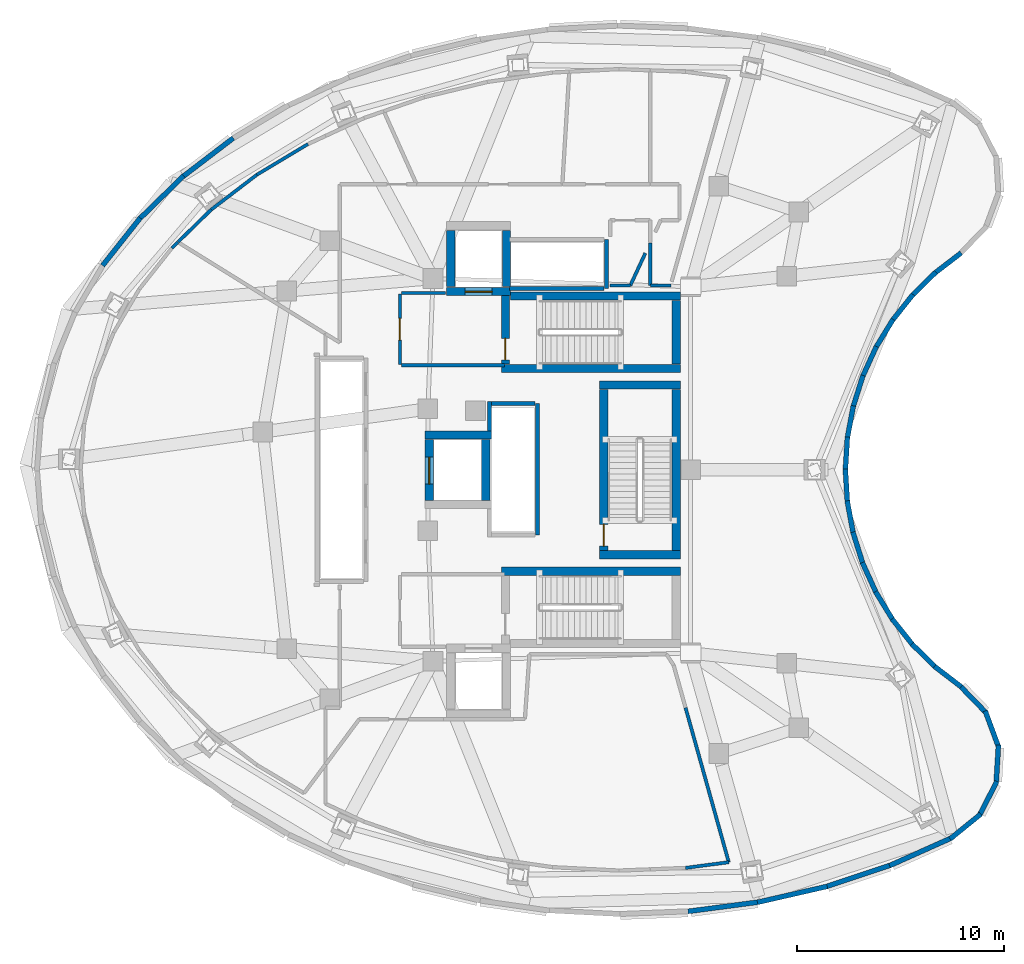
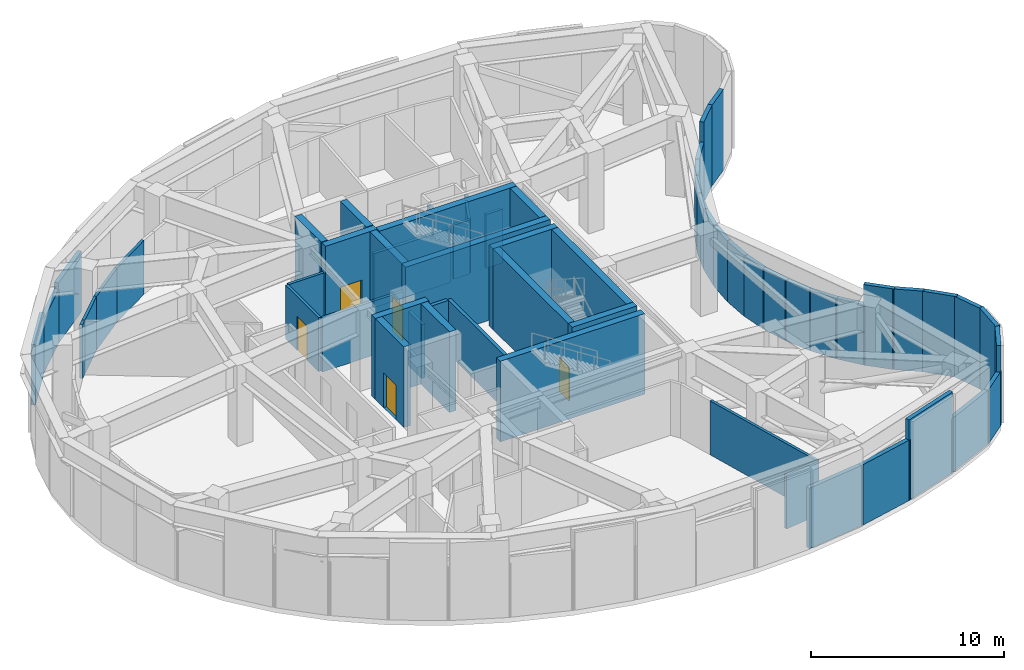
# One storey, part 5 of 10: 61 walls, 5 doors, 5 openings.
"""IFC4 building model written with IfcOpenShell, lengths in metres."""

from ifc_helpers import new_model, si_unit, direction, frame, frame_2d, origin, place, context, subcontext, project, spatial, rectangle, extrude, material, layer, layer_set, type_object, element, fill, save


model = new_model("IFC4")

# Units and contexts
model_context = context("Model", 3, precision=1e-05, world=origin(), true_north=direction((0.0, 1.0)))
body_context = subcontext(model_context, "Body", "Model", "MODEL_VIEW")
ifc_project = project(units=[si_unit("LENGTHUNIT", "METRE"), si_unit("AREAUNIT", "SQUARE_METRE"), si_unit("VOLUMEUNIT", "CUBIC_METRE"), si_unit("PLANEANGLEUNIT", "RADIAN"), si_unit("MASSUNIT", "GRAM", prefix="KILO")], contexts=[model_context])

# Site, building, storey
site_placement = place(None, origin())
site = spatial("IfcSite", under=ifc_project, at=site_placement, CompositionType="ELEMENT")
building_placement = place(site_placement, origin())
building = spatial("IfcBuilding", under=site, at=building_placement, Name="Korentha Bioscience Tower", CompositionType="ELEMENT")
storey_placement = place(building_placement, frame((0.0, 0.0, 213.0)))
storey = spatial("IfcBuildingStorey", under=building, at=storey_placement, Name="L49", CompositionType="ELEMENT", Elevation=213.0)

# Wall, opening, door
ifc_material_1 = material(Name="Gypsum-Clad Steel Stud", Category="steel")
ifc_layer_1 = layer(ifc_material_1, 0.159912109375, Name="Gypsum-Clad Steel Stud")
ifc_layer_set_1 = layer_set([ifc_layer_1], Name="Gypsum-Clad Steel Stud (IW-C160)")
wall_type_1 = type_object("IfcWallType", Name="Fire-Rated Corridor Partition Wall 160", PredefinedType="PARTITIONING", material=ifc_layer_set_1)
wall_1_placement = place(storey_placement, frame((23.5, 32.10009765625, 0.0), z_axis=(0.0, 0.0, 1.0), x_axis=(0.0, 1.0, 0.0)))
wall_1 = element("IfcWall", 1, at=wall_1_placement, inside=storey, type_object=wall_type_1, Name="L49 FFLN-CW Rated Enclosure Wall", PredefinedType="PARTITIONING", context=body_context, shape_type="SweptSolid", body=[
    extrude(rectangle(XDim=3.39990234375, YDim=0.159912109375, at=frame_2d((1.699951171875, 0.0))), origin(), (0.0, 0.0, 1.0), 3.409912109375),
])
opening_1_placement = place(wall_1_placement, frame((1.175048828125, 0.0, 0.0)))
opening_1 = element("IfcOpeningElement", 2, at=opening_1_placement, cuts=wall_1, Name="Opening FD-90R", PredefinedType="OPENING", context=body_context, shape_type="SweptSolid", body=[
    extrude(rectangle(XDim=1.050048828125, YDim=2.14990234375, at=frame_2d((0.52490234375, 1.074951171875))), frame((0.0, 0.0947265625, 0.0), z_axis=(0.0, -1.0, 0.0), x_axis=(1.0, 0.0, 0.0)), (0.0, 0.0, 1.0), 0.189697265625),
])
ifc_material_2 = material(Name="Powder-Coated Fire-Rated Steel", Category="steel")
door_type_1 = type_object("IfcDoorType", Name="Stairwell Fire Exit Door 1050x2150 Right", OperationType="SINGLE_SWING_RIGHT", PredefinedType="DOOR", material=ifc_material_2)
door_1_placement = place(opening_1_placement, origin())
door_1 = element("IfcDoor", 3, at=door_1_placement, inside=storey, type_object=door_type_1, Name="L49 North Firefighting Lobby Door", OperationType="SINGLE_SWING_RIGHT", OverallHeight=2.14990234375, OverallWidth=1.050048828125, PredefinedType="DOOR", context=body_context, shape_type="SweptSolid", body=[
    extrude(rectangle(XDim=1.050048828125, YDim=2.14990234375, at=frame_2d((0.52490234375, 1.074951171875))), frame((0.0, 0.02490234375, 0.0), z_axis=(0.0, -1.0, 0.0), x_axis=(1.0, 0.0, 0.0)), (0.0, 0.0, 1.0), 0.050048828125),
])
fill(opening_1, door_1)

# Walls
wall_2_placement = place(storey_placement, frame((23.580078125, 32.050048828125, 0.0), z_axis=(0.0, 0.0, 1.0), x_axis=(1.0, 0.0, 0.0)))
element("IfcWall", 4, at=wall_2_placement, inside=storey, type_object=wall_type_1, Name="L49 Firefighting Lobby Return Wall FFLN-S", PredefinedType="PARTITIONING", context=body_context, shape_type="SweptSolid", body=[
    extrude(rectangle(XDim=4.969970703125, YDim=0.159912109375, at=frame_2d((2.48486328125, 0.0))), origin(), (0.0, 0.0, 1.0), 3.409912109375),
])
wall_3_placement = place(storey_placement, frame((23.580078125, 35.550048828125, 0.0), z_axis=(0.0, 0.0, 1.0), x_axis=(1.0, 0.0, 0.0)))
element("IfcWall", 5, at=wall_3_placement, inside=storey, type_object=wall_type_1, Name="L49 Firefighting Lobby Return Wall FFLN-N", PredefinedType="PARTITIONING", context=body_context, shape_type="SweptSolid", body=[
    extrude(rectangle(XDim=2.119873046875, YDim=0.159912109375, at=frame_2d((1.06005859375, 0.0))), origin(), (0.0, 0.0, 1.0), 3.409912109375),
])
wall_4_placement = place(storey_placement, frame((12.474853515625, 37.723876953125, 0.0), z_axis=(0.0, 0.0, 1.0), x_axis=(0.716082918314, 0.698015224833, 0.0)))
element("IfcWall", 6, at=wall_4_placement, inside=storey, type_object=wall_type_1, Name="L49 Interior Partition 014", PredefinedType="PARTITIONING", context=body_context, shape_type="SweptSolid", body=[
    extrude(rectangle(XDim=0.4052734375, YDim=0.159912109375, at=frame_2d((0.20263671875, 0.0))), origin(), (0.0, 0.0, 1.0), 3.409912109375),
])
wall_5_placement = place(storey_placement, frame((37.3056640625, 15.497802734375, 0.0), z_axis=(0.0, 0.0, 1.0), x_axis=(0.269479200769, -0.963006209924, 0.0)))
element("IfcWall", 7, at=wall_5_placement, inside=storey, type_object=wall_type_1, Name="L49 Interior Partition 040", PredefinedType="PARTITIONING", context=body_context, shape_type="SweptSolid", body=[
    extrude(rectangle(XDim=7.75048828125, YDim=0.159912109375, at=frame_2d((3.875244140625, 0.0))), origin(), (0.0, 0.0, 1.0), 3.409912109375),
])
wall_6_placement = place(storey_placement, frame((39.394287109375, 8.03369140625, 0.0), z_axis=(0.0, 0.0, 1.0), x_axis=(-0.991371547584, -0.131081862361, 0.0)))
element("IfcWall", 8, at=wall_6_placement, inside=storey, type_object=wall_type_1, Name="L49 Interior Partition 041", PredefinedType="PARTITIONING", context=body_context, shape_type="SweptSolid", body=[
    extrude(rectangle(XDim=2.114013671875, YDim=0.159912109375, at=frame_2d((1.05712890625, 0.0))), origin(), (0.0, 0.0, 1.0), 3.409912109375),
])
wall_7_placement = place(storey_placement, frame((36.602294921875, 35.909912109375, 0.0), z_axis=(0.0, 0.0, 1.0), x_axis=(-1.0, 0.0, 0.0)))
element("IfcWall", 9, at=wall_7_placement, inside=storey, type_object=wall_type_1, Name="L49 Interior Partition 062", PredefinedType="PARTITIONING", context=body_context, shape_type="SweptSolid", body=[
    extrude(rectangle(XDim=1.000244140625, YDim=0.159912109375, at=frame_2d((0.5, 0.0))), origin(), (0.0, 0.0, 1.0), 3.409912109375),
])
wall_8_placement = place(storey_placement, frame((35.60205078125, 35.909912109375, 0.0), z_axis=(0.0, 0.0, 1.0), x_axis=(0.0, 1.0, 0.0)))
element("IfcWall", 10, at=wall_8_placement, inside=storey, type_object=wall_type_1, Name="L49 Interior Partition 063", PredefinedType="PARTITIONING", context=body_context, shape_type="SweptSolid", body=[
    extrude(rectangle(XDim=2.064208984375, YDim=0.159912109375, at=frame_2d((1.0322265625, 0.0))), origin(), (0.0, 0.0, 1.0), 3.409912109375),
])
wall_9_placement = place(storey_placement, frame((35.362060546875, 37.475341796875, 0.0), z_axis=(0.0, 0.0, 1.0), x_axis=(-0.421227666109, -0.90695493455, 0.0)))
element("IfcWall", 11, at=wall_9_placement, inside=storey, type_object=wall_type_1, Name="L49 Interior Partition 064", PredefinedType="PARTITIONING", context=body_context, shape_type="SweptSolid", body=[
    extrude(rectangle(XDim=1.72607421875, YDim=0.159912109375, at=frame_2d((0.863037109375, 0.0))), origin(), (0.0, 0.0, 1.0), 3.409912109375),
])
wall_10_placement = place(storey_placement, frame((34.635009765625, 35.909912109375, 0.0), z_axis=(0.0, 0.0, 1.0), x_axis=(-1.0, 0.0, 0.0)))
element("IfcWall", 12, at=wall_10_placement, inside=storey, type_object=wall_type_1, Name="L49 Interior Partition 065", PredefinedType="PARTITIONING", context=body_context, shape_type="SweptSolid", body=[
    extrude(rectangle(XDim=0.985107421875, YDim=0.159912109375, at=frame_2d((0.49267578125, 0.0))), origin(), (0.0, 0.0, 1.0), 3.409912109375),
])
wall_11_placement = place(storey_placement, frame((14.377685546875, 39.5791015625, 0.0), z_axis=(0.0, 0.0, 1.0), x_axis=(0.794377819554, 0.607423970387, 0.0)))
element("IfcWall", 13, at=wall_11_placement, inside=storey, type_object=wall_type_1, Name="L49 Interior Partition 074", PredefinedType="PARTITIONING", context=body_context, shape_type="SweptSolid", body=[
    extrude(rectangle(XDim=2.773681640625, YDim=0.159912109375, at=frame_2d((1.38671875, 0.0))), origin(), (0.0, 0.0, 1.0), 3.409912109375),
])
wall_12_placement = place(storey_placement, frame((16.581298828125, 41.263916015625, 0.0), z_axis=(0.0, 0.0, 1.0), x_axis=(0.857492925713, 0.514495755428, 0.0)))
element("IfcWall", 14, at=wall_12_placement, inside=storey, type_object=wall_type_1, Name="L49 Interior Partition 075", PredefinedType="PARTITIONING", context=body_context, shape_type="SweptSolid", body=[
    extrude(rectangle(XDim=2.885498046875, YDim=0.159912109375, at=frame_2d((1.44287109375, 0.0))), origin(), (0.0, 0.0, 1.0), 3.409912109375),
])
wall_13_placement = place(storey_placement, frame((12.772705078125, 38.01416015625, 0.0), z_axis=(0.0, 0.0, 1.0), x_axis=(0.715982444294, 0.698118284722, 0.0)))
element("IfcWall", 15, at=wall_13_placement, inside=storey, type_object=wall_type_1, Name="L49 Interior Partition 081", PredefinedType="PARTITIONING", context=body_context, shape_type="SweptSolid", body=[
    extrude(rectangle(XDim=2.2412109375, YDim=0.159912109375, at=frame_2d((1.12060546875, 0.0))), origin(), (0.0, 0.0, 1.0), 3.409912109375),
])
ifc_material_3 = material(Name="Autoclaved Aerated Concrete Block C25", Category="concrete")
ifc_layer_2 = layer(ifc_material_3, 0.199951171875, Name="Autoclaved Aerated Concrete Block C25")
ifc_layer_set_2 = layer_set([ifc_layer_2], Name="Autoclaved Aerated Concrete Block C25 (IW-S200)")
wall_type_2 = type_object("IfcWallType", Name="Lift and Riser Shaft Enclosure Wall 200", PredefinedType="PARTITIONING", material=ifc_layer_set_2)
wall_14_placement = place(storey_placement, frame((27.830078125, 28.884033203125, 0.0), z_axis=(0.0, 0.0, 1.0), x_axis=(0.0, 1.0, 0.0)))
element("IfcWall", 16, at=wall_14_placement, inside=storey, type_object=wall_type_2, Name="L49 Lift Bank HIGH Shaft Wall -XN", PredefinedType="PARTITIONING", context=body_context, shape_type="SweptSolid", body=[
    extrude(rectangle(XDim=1.416015625, YDim=0.199951171875, at=frame_2d((0.7080078125, 0.0))), origin(), (0.0, 0.0, 1.0), 3.409912109375),
])
wall_15_placement = place(storey_placement, frame((30.14990234375, 23.85009765625, 0.0), z_axis=(0.0, 0.0, 1.0), x_axis=(0.0, 1.0, 0.0)))
element("IfcWall", 17, at=wall_15_placement, inside=storey, type_object=wall_type_2, Name="L49 Lift Bank HIGH Shaft Wall +X", PredefinedType="PARTITIONING", context=body_context, shape_type="SweptSolid", body=[
    extrude(rectangle(XDim=6.349853515625, YDim=0.199951171875, at=frame_2d((3.1748046875, 0.0))), origin(), (0.0, 0.0, 1.0), 3.409912109375),
])
wall_16_placement = place(storey_placement, frame((27.93408203125, 30.199951171875, 0.0), z_axis=(0.0, 0.0, 1.0), x_axis=(1.0, 0.0, 0.0)))
element("IfcWall", 18, at=wall_16_placement, inside=storey, type_object=wall_type_2, Name="L49 Lift Bank HIGH Shaft Wall +Y", PredefinedType="PARTITIONING", context=body_context, shape_type="SweptSolid", body=[
    extrude(rectangle(XDim=2.095947265625, YDim=0.199951171875, at=frame_2d((1.0478515625, 0.0))), origin(), (0.0, 0.0, 1.0), 3.409912109375),
])
wall_17_placement = place(storey_placement, frame((33.489990234375, 35.760009765625, 0.0), z_axis=(0.0, 0.0, 1.0), x_axis=(0.0, 1.0, 0.0)))
element("IfcWall", 19, at=wall_17_placement, inside=storey, type_object=wall_type_2, Name="L49 Lift Bank OBS Shaft Wall +X", PredefinedType="PARTITIONING", context=body_context, shape_type="SweptSolid", body=[
    extrude(rectangle(XDim=2.3798828125, YDim=0.199951171875, at=frame_2d((1.18994140625, 0.0))), origin(), (0.0, 0.0, 1.0), 3.409912109375),
])
wall_18_placement = place(storey_placement, frame((28.800048828125, 35.760009765625, 0.0), z_axis=(0.0, 0.0, 1.0), x_axis=(1.0, 0.0, 0.0)))
element("IfcWall", 20, at=wall_18_placement, inside=storey, type_object=wall_type_2, Name="L49 Lift Bank OBS Shaft Wall -Y", PredefinedType="PARTITIONING", context=body_context, shape_type="SweptSolid", body=[
    extrude(rectangle(XDim=4.570068359375, YDim=0.199951171875, at=frame_2d((2.28515625, 0.0))), origin(), (0.0, 0.0, 1.0), 3.409912109375),
])
ifc_material_4 = material(Name="Concrete C65", Category="concrete")
ifc_layer_3 = layer(ifc_material_4, 0.39990234375, Name="Concrete C65")
ifc_layer_set_3 = layer_set([ifc_layer_3], Name="Concrete C65 (CW-C65)")
wall_type_3 = type_object("IfcWallType", Name="Mid-Rise Core Shear Wall 400", PredefinedType="SHEAR", material=ifc_layer_set_3)
wall_19_placement = place(storey_placement, frame((28.85205078125, 35.39990234375, 0.0), z_axis=(0.0, 0.0, 1.0), x_axis=(1.0, 0.0, 0.0)))
element("IfcWall", 21, at=wall_19_placement, inside=storey, type_object=wall_type_3, Name="L49 Core Shear Wall ST1-N", PredefinedType="SHEAR", context=body_context, shape_type="SweptSolid", body=[
    extrude(rectangle(XDim=8.197998046875, YDim=0.39990234375, at=frame_2d((4.09912109375, 0.0))), origin(), (0.0, 0.0, 1.0), 5.10009765625),
])
wall_20_placement = place(storey_placement, frame((28.39990234375, 31.89990234375, 0.0), z_axis=(0.0, 0.0, 1.0), x_axis=(1.0, 0.0, 0.0)))
element("IfcWall", 22, at=wall_20_placement, inside=storey, type_object=wall_type_3, Name="L49 Core Shear Wall ST1-S", PredefinedType="SHEAR", context=body_context, shape_type="SweptSolid", body=[
    extrude(rectangle(XDim=8.650146484375, YDim=0.39990234375, at=frame_2d((4.3251953125, 0.0))), origin(), (0.0, 0.0, 1.0), 5.10009765625),
])
wall_21_placement = place(storey_placement, frame((36.85009765625, 32.110107421875, 0.0), z_axis=(0.0, 0.0, 1.0), x_axis=(0.0, 1.0, 0.0)))
element("IfcWall", 23, at=wall_21_placement, inside=storey, type_object=wall_type_3, Name="L49 Core Shear Wall ST1-E", PredefinedType="SHEAR", context=body_context, shape_type="SweptSolid", body=[
    extrude(rectangle(XDim=3.079833984375, YDim=0.39990234375, at=frame_2d((1.5400390625, 0.0))), origin(), (0.0, 0.0, 1.0), 5.10009765625),
])

# Wall, opening, door
wall_22_placement = place(storey_placement, frame((28.60009765625, 32.110107421875, 0.0), z_axis=(0.0, 0.0, 1.0), x_axis=(0.0, 1.0, 0.0)))
wall_22 = element("IfcWall", 24, at=wall_22_placement, inside=storey, type_object=wall_type_3, Name="L49 Core Shear Wall ST1-W", PredefinedType="SHEAR", context=body_context, shape_type="SweptSolid", body=[
    extrude(rectangle(XDim=3.307861328125, YDim=0.39990234375, at=frame_2d((1.65380859375, 0.0))), origin(), (0.0, 0.0, 1.0), 5.10009765625),
])
opening_2_placement = place(wall_22_placement, frame((0.199951171875, 0.0, 0.0)))
opening_2 = element("IfcOpeningElement", 25, at=opening_2_placement, cuts=wall_22, Name="Opening FD-90R", PredefinedType="OPENING", context=body_context, shape_type="SweptSolid", body=[
    extrude(rectangle(XDim=1.050048828125, YDim=2.14990234375, at=frame_2d((0.52490234375, 1.074951171875))), frame((0.0, 0.21484375, 0.0), z_axis=(0.0, -1.0, 0.0), x_axis=(1.0, 0.0, 0.0)), (0.0, 0.0, 1.0), 0.4296875),
])
door_2_placement = place(opening_2_placement, origin())
door_2 = element("IfcDoor", 26, at=door_2_placement, inside=storey, type_object=door_type_1, Name="L49 ST-1 Fire Exit Stair Door", OperationType="SINGLE_SWING_RIGHT", OverallHeight=2.14990234375, OverallWidth=1.050048828125, PredefinedType="DOOR", context=body_context, shape_type="SweptSolid", body=[
    extrude(rectangle(XDim=1.050048828125, YDim=2.14990234375, at=frame_2d((0.52490234375, 1.074951171875))), frame((0.0, 0.02490234375, 0.0), z_axis=(0.0, -1.0, 0.0), x_axis=(1.0, 0.0, 0.0)), (0.0, 0.0, 1.0), 0.050048828125),
])
fill(opening_2, door_2)

# Walls
wall_23_placement = place(storey_placement, frame((28.39990234375, 22.10009765625, 0.0), z_axis=(0.0, 0.0, 1.0), x_axis=(1.0, 0.0, 0.0)))
element("IfcWall", 27, at=wall_23_placement, inside=storey, type_object=wall_type_3, Name="L49 Core Shear Wall ST2-N", PredefinedType="SHEAR", context=body_context, shape_type="SweptSolid", body=[
    extrude(rectangle(XDim=8.650146484375, YDim=0.39990234375, at=frame_2d((4.3251953125, 0.0))), origin(), (0.0, 0.0, 1.0), 5.10009765625),
])
for number, where, z_axis, x_axis, name in (
    (28, (33.14990234375, 31.10009765625, 0.0), (0.0, 0.0, 1.0), (1.0, 0.0, 0.0), "L49 Core Shear Wall ST3-N"),
    (29, (33.14990234375, 22.89990234375, 0.0), (0.0, 0.0, 1.0), (1.0, 0.0, 0.0), "L49 Core Shear Wall ST3-S"),
):
    element("IfcWall", number, at=place(storey_placement, frame(where, z_axis=z_axis, x_axis=x_axis)), inside=storey, type_object=wall_type_3, Name=name, PredefinedType="SHEAR", context=body_context, shape_type="SweptSolid", body=[
        extrude(rectangle(XDim=3.900146484375, YDim=0.39990234375, at=frame_2d((1.9501953125, 0.0))), origin(), (0.0, 0.0, 1.0), 5.10009765625),
    ])
wall_24_placement = place(storey_placement, frame((36.85009765625, 23.110107421875, 0.0), z_axis=(0.0, 0.0, 1.0), x_axis=(0.0, 1.0, 0.0)))
element("IfcWall", 30, at=wall_24_placement, inside=storey, type_object=wall_type_3, Name="L49 Core Shear Wall ST3-E", PredefinedType="SHEAR", context=body_context, shape_type="SweptSolid", body=[
    extrude(rectangle(XDim=7.77978515625, YDim=0.39990234375, at=frame_2d((3.889892578125, 0.0))), origin(), (0.0, 0.0, 1.0), 5.10009765625),
])

# Wall, opening, door
wall_25_placement = place(storey_placement, frame((33.35009765625, 23.110107421875, 0.0), z_axis=(0.0, 0.0, 1.0), x_axis=(0.0, 1.0, 0.0)))
wall_25 = element("IfcWall", 31, at=wall_25_placement, inside=storey, type_object=wall_type_3, Name="L49 Core Shear Wall ST3-W", PredefinedType="SHEAR", context=body_context, shape_type="SweptSolid", body=[
    extrude(rectangle(XDim=7.77978515625, YDim=0.39990234375, at=frame_2d((3.889892578125, 0.0))), origin(), (0.0, 0.0, 1.0), 5.10009765625),
])
opening_3_placement = place(wall_25_placement, frame((0.199951171875, 0.0, 0.0)))
opening_3 = element("IfcOpeningElement", 32, at=opening_3_placement, cuts=wall_25, Name="Opening FD-90R", PredefinedType="OPENING", context=body_context, shape_type="SweptSolid", body=[
    extrude(rectangle(XDim=1.050048828125, YDim=2.14990234375, at=frame_2d((0.52490234375, 1.074951171875))), frame((0.0, 0.21484375, 0.0), z_axis=(0.0, -1.0, 0.0), x_axis=(1.0, 0.0, 0.0)), (0.0, 0.0, 1.0), 0.4296875),
])
door_3_placement = place(opening_3_placement, origin())
door_3 = element("IfcDoor", 33, at=door_3_placement, inside=storey, type_object=door_type_1, Name="L49 ST-3 Fire Exit Stair Door", OperationType="SINGLE_SWING_RIGHT", OverallHeight=2.14990234375, OverallWidth=1.050048828125, PredefinedType="DOOR", context=body_context, shape_type="SweptSolid", body=[
    extrude(rectangle(XDim=1.050048828125, YDim=2.14990234375, at=frame_2d((0.52490234375, 1.074951171875))), frame((0.0, 0.02490234375, 0.0), z_axis=(0.0, -1.0, 0.0), x_axis=(1.0, 0.0, 0.0)), (0.0, 0.0, 1.0), 0.050048828125),
])
fill(opening_3, door_3)

wall_26_placement = place(storey_placement, frame((25.75, 35.6201171875, 0.0), z_axis=(0.0, 0.0, 1.0), x_axis=(1.0, 0.0, 0.0)))
wall_26 = element("IfcWall", 34, at=wall_26_placement, inside=storey, type_object=wall_type_3, Name="L49 Core Shear Wall FFL2-S", PredefinedType="SHEAR", context=body_context, shape_type="SweptSolid", body=[
    extrude(rectangle(XDim=3.10009765625, YDim=0.39990234375, at=frame_2d((1.550048828125, 0.0))), origin(), (0.0, 0.0, 1.0), 5.10009765625),
])
opening_4_placement = place(wall_26_placement, frame((0.89990234375, 0.0, 0.0)))
opening_4 = element("IfcOpeningElement", 35, at=opening_4_placement, cuts=wall_26, Name="Opening LD-13", PredefinedType="OPENING", context=body_context, shape_type="SweptSolid", body=[
    extrude(rectangle(XDim=1.300048828125, YDim=2.199951171875, at=frame_2d((0.64990234375, 1.10009765625))), frame((0.0, 0.21484375, 0.0), z_axis=(0.0, -1.0, 0.0), x_axis=(1.0, 0.0, 0.0)), (0.0, 0.0, 1.0), 0.4296875),
])
ifc_material_5 = material(Name="Brushed Stainless Steel 316", Category="steel")
door_type_2 = type_object("IfcDoorType", Name="Service & Firefighting Lift Landing Door 1300x2300", OperationType="DOUBLE_DOOR_SLIDING", PredefinedType="DOOR", material=ifc_material_5)
door_4_placement = place(opening_4_placement, origin())
door_4 = element("IfcDoor", 36, at=door_4_placement, inside=storey, type_object=door_type_2, Name="L49 FFL-2 Sliding Lift Landing Door", OperationType="DOUBLE_DOOR_SLIDING", OverallHeight=2.199951171875, OverallWidth=1.300048828125, PredefinedType="DOOR", context=body_context, shape_type="SweptSolid", body=[
    extrude(rectangle(XDim=1.300048828125, YDim=2.199951171875, at=frame_2d((0.64990234375, 1.10009765625))), frame((0.0, 0.02490234375, 0.0), z_axis=(0.0, -1.0, 0.0), x_axis=(1.0, 0.0, 0.0)), (0.0, 0.0, 1.0), 0.050048828125),
])
fill(opening_4, door_4)

# Walls
for number, where, z_axis, x_axis, name in (
    (37, (25.949951171875, 35.860107421875, 0.0), (0.0, 0.0, 1.0), (0.0, 1.0, 0.0), "L49 Core Shear Wall FFL2-W"),
    (38, (28.64990234375, 35.860107421875, 0.0), (0.0, 0.0, 1.0), (0.0, 1.0, 0.0), "L49 Core Shear Wall FFL2-E"),
):
    element("IfcWall", number, at=place(storey_placement, frame(where, z_axis=z_axis, x_axis=x_axis)), inside=storey, type_object=wall_type_3, Name=name, PredefinedType="SHEAR", context=body_context, shape_type="SweptSolid", body=[
        extrude(rectangle(XDim=2.699951171875, YDim=0.39990234375, at=frame_2d((1.35009765625, 0.0))), origin(), (0.0, 0.0, 1.0), 5.10009765625),
    ])
wall_27_placement = place(storey_placement, frame((24.719970703125, 28.679931640625, 0.0), z_axis=(0.0, 0.0, 1.0), x_axis=(1.0, 0.0, 0.0)))
element("IfcWall", 39, at=wall_27_placement, inside=storey, type_object=wall_type_3, Name="L49 Core Shear Wall SVL1-N", PredefinedType="SHEAR", context=body_context, shape_type="SweptSolid", body=[
    extrude(rectangle(XDim=3.2099609375, YDim=0.39990234375, at=frame_2d((1.60498046875, 0.0))), origin(), (0.0, 0.0, 1.0), 5.10009765625),
])

# Wall, opening, door
wall_28_placement = place(storey_placement, frame((24.919921875, 25.52197265625, 0.0), z_axis=(0.0, 0.0, 1.0), x_axis=(0.0, 1.0, 0.0)))
wall_28 = element("IfcWall", 40, at=wall_28_placement, inside=storey, type_object=wall_type_3, Name="L49 Core Shear Wall SVL1-W", PredefinedType="SHEAR", context=body_context, shape_type="SweptSolid", body=[
    extrude(rectangle(XDim=2.9560546875, YDim=0.39990234375, at=frame_2d((1.47802734375, 0.0))), origin(), (0.0, 0.0, 1.0), 5.10009765625),
])
opening_5_placement = place(wall_28_placement, frame((0.7900390625, 0.0, 0.0)))
opening_5 = element("IfcOpeningElement", 41, at=opening_5_placement, cuts=wall_28, Name="Opening LD-13", PredefinedType="OPENING", context=body_context, shape_type="SweptSolid", body=[
    extrude(rectangle(XDim=1.300048828125, YDim=2.199951171875, at=frame_2d((0.64990234375, 1.10009765625))), frame((0.0, 0.21484375, 0.0), z_axis=(0.0, -1.0, 0.0), x_axis=(1.0, 0.0, 0.0)), (0.0, 0.0, 1.0), 0.4296875),
])
door_5_placement = place(opening_5_placement, origin())
door_5 = element("IfcDoor", 42, at=door_5_placement, inside=storey, type_object=door_type_2, Name="L49 SVL-1 Sliding Lift Landing Door", OperationType="DOUBLE_DOOR_SLIDING", OverallHeight=2.199951171875, OverallWidth=1.300048828125, PredefinedType="DOOR", context=body_context, shape_type="SweptSolid", body=[
    extrude(rectangle(XDim=1.300048828125, YDim=2.199951171875, at=frame_2d((0.64990234375, 1.10009765625))), frame((0.0, 0.02490234375, 0.0), z_axis=(0.0, -1.0, 0.0), x_axis=(1.0, 0.0, 0.0)), (0.0, 0.0, 1.0), 0.050048828125),
])
fill(opening_5, door_5)

# Walls
wall_29_placement = place(storey_placement, frame((27.64990234375, 25.52197265625, 0.0), z_axis=(0.0, 0.0, 1.0), x_axis=(0.0, 1.0, 0.0)))
element("IfcWall", 43, at=wall_29_placement, inside=storey, type_object=wall_type_3, Name="L49 Core Shear Wall SVL1-E", PredefinedType="SHEAR", context=body_context, shape_type="SweptSolid", body=[
    extrude(rectangle(XDim=2.9560546875, YDim=0.39990234375, at=frame_2d((1.47802734375, 0.0))), origin(), (0.0, 0.0, 1.0), 5.10009765625),
])
ifc_material_6 = material(Name="Insulated Precast Concrete C40", Category="concrete")
ifc_layer_4 = layer(ifc_material_6, 0.239990234375, Name="Insulated Precast Concrete C40")
ifc_layer_set_4 = layer_set([ifc_layer_4], Name="Insulated Precast Concrete C40 (EW-PL240)")
wall_type_4 = type_object("IfcWallType", Name="Plant Acoustic Louvre Backup Wall 240", PredefinedType="STANDARD", material=ifc_layer_set_4)
wall_30_placement = place(storey_placement, frame((15.444580078125, 43.038330078125, 0.0), z_axis=(0.0, 0.0, 1.0), x_axis=(-0.794391016962, -0.607406710673, 0.0)))
element("IfcWall", 44, at=wall_30_placement, inside=storey, type_object=wall_type_4, Name="L49 Plant Louvre Backup Wall 12", PredefinedType="STANDARD", context=body_context, shape_type="SweptSolid", body=[
    extrude(rectangle(XDim=3.13232421875, YDim=0.239990234375, at=frame_2d((1.566162109375, 0.0))), origin(), (0.0, 0.0, 1.0), 3.824951171875),
])
wall_31_placement = place(storey_placement, frame((13.042724609375, 41.21044921875, 0.0), z_axis=(0.0, 0.0, 1.0), x_axis=(-0.716024277957, -0.698075378004, 0.0)))
element("IfcWall", 45, at=wall_31_placement, inside=storey, type_object=wall_type_4, Name="L49 Plant Louvre Backup Wall 13", PredefinedType="STANDARD", context=body_context, shape_type="SweptSolid", body=[
    extrude(rectangle(XDim=3.033203125, YDim=0.239990234375, at=frame_2d((1.5166015625, 0.0))), origin(), (0.0, 0.0, 1.0), 3.425048828125),
])
wall_32_placement = place(storey_placement, frame((10.947998046875, 39.178466796875, 0.0), z_axis=(0.0, 0.0, 1.0), x_axis=(-0.620845582717, -0.783932881324, 0.0)))
element("IfcWall", 46, at=wall_32_placement, inside=storey, type_object=wall_type_4, Name="L49 Plant Louvre Backup Wall 14", PredefinedType="STANDARD", context=body_context, shape_type="SweptSolid", body=[
    extrude(rectangle(XDim=2.93701171875, YDim=0.239990234375, at=frame_2d((1.468505859375, 0.0))), origin(), (0.0, 0.0, 1.0), 3.824951171875),
])
wall_33_placement = place(storey_placement, frame((37.423095703125, 5.65478515625, 0.0), z_axis=(0.0, 0.0, 1.0), x_axis=(0.991365708625, 0.131126014818, 0.0)))
element("IfcWall", 47, at=wall_33_placement, inside=storey, type_object=wall_type_4, Name="L49 Plant Louvre Backup Wall 33", PredefinedType="STANDARD", context=body_context, shape_type="SweptSolid", body=[
    extrude(rectangle(XDim=3.49853515625, YDim=0.239990234375, at=frame_2d((1.749267578125, 0.0))), origin(), (0.0, 0.0, 1.0), 3.824951171875),
])
wall_34_placement = place(storey_placement, frame((40.781982421875, 6.093994140625, 0.0), z_axis=(0.0, 0.0, 1.0), x_axis=(0.974824764402, 0.222972372076, 0.0)))
element("IfcWall", 48, at=wall_34_placement, inside=storey, type_object=wall_type_4, Name="L49 Plant Louvre Backup Wall 34", PredefinedType="STANDARD", context=body_context, shape_type="SweptSolid", body=[
    extrude(rectangle(XDim=3.458984375, YDim=0.239990234375, at=frame_2d((1.7294921875, 0.0))), origin(), (0.0, 0.0, 1.0), 3.824951171875),
])
wall_35_placement = place(storey_placement, frame((44.046630859375, 6.835205078125, 0.0), z_axis=(0.0, 0.0, 1.0), x_axis=(0.948919938757, 0.315516956486, 0.0)))
element("IfcWall", 49, at=wall_35_placement, inside=storey, type_object=wall_type_4, Name="L49 Plant Louvre Backup Wall 35", PredefinedType="STANDARD", context=body_context, shape_type="SweptSolid", body=[
    extrude(rectangle(XDim=3.40087890625, YDim=0.239990234375, at=frame_2d((1.700439453125, 0.0))), origin(), (0.0, 0.0, 1.0), 5.10009765625),
])
wall_36_placement = place(storey_placement, frame((47.16943359375, 7.867919921875, 0.0), z_axis=(0.0, 0.0, 1.0), x_axis=(0.912651891683, 0.408737721048, 0.0)))
element("IfcWall", 50, at=wall_36_placement, inside=storey, type_object=wall_type_4, Name="L49 Plant Louvre Backup Wall 36", PredefinedType="STANDARD", context=body_context, shape_type="SweptSolid", body=[
    extrude(rectangle(XDim=3.326904296875, YDim=0.239990234375, at=frame_2d((1.66357421875, 0.0))), origin(), (0.0, 0.0, 1.0), 3.425048828125),
])
wall_37_placement = place(storey_placement, frame((50.0947265625, 9.15966796875, 0.0), z_axis=(0.0, 0.0, 1.0), x_axis=(0.777271699321, 0.629165085995, 0.0)))
element("IfcWall", 51, at=wall_37_placement, inside=storey, type_object=wall_type_4, Name="L49 Plant Louvre Backup Wall 37", PredefinedType="STANDARD", context=body_context, shape_type="SweptSolid", body=[
    extrude(rectangle(XDim=1.9072265625, YDim=0.239990234375, at=frame_2d((0.95361328125, 0.0))), origin(), (0.0, 0.0, 1.0), 3.425048828125),
])
wall_38_placement = place(storey_placement, frame((51.484130859375, 10.245361328125, 0.0), z_axis=(0.0, 0.0, 1.0), x_axis=(0.457579426547, 0.889168751363, 0.0)))
element("IfcWall", 52, at=wall_38_placement, inside=storey, type_object=wall_type_4, Name="L49 Plant Louvre Backup Wall 38", PredefinedType="STANDARD", context=body_context, shape_type="SweptSolid", body=[
    extrude(rectangle(XDim=1.906982421875, YDim=0.239990234375, at=frame_2d((0.95361328125, 0.0))), origin(), (0.0, 0.0, 1.0), 5.10009765625),
])
for number, where, z_axis, x_axis, name in (
    (53, (52.31787109375, 11.798828125, 0.0), (0.0, 0.0, 1.0), (0.060162687216, 0.998188584921, 0.0), "L49 Plant Louvre Backup Wall 39"),
    (54, (52.4541015625, 13.556884765625, 0.0), (0.0, 0.0, 1.0), (-0.347431094857, 0.937705515781, 0.0), "L49 Plant Louvre Backup Wall 40"),
    (55, (51.8701171875, 15.220703125, 0.0), (0.0, 0.0, 1.0), (-0.696141837509, 0.717904270826, 0.0), "L49 Plant Louvre Backup Wall 41"),
):
    element("IfcWall", number, at=place(storey_placement, frame(where, z_axis=z_axis, x_axis=x_axis)), inside=storey, type_object=wall_type_4, Name=name, PredefinedType="STANDARD", context=body_context, shape_type="SweptSolid", body=[
        extrude(rectangle(XDim=1.9072265625, YDim=0.239990234375, at=frame_2d((0.95361328125, 0.0))), origin(), (0.0, 0.0, 1.0), 5.10009765625),
    ])
wall_39_placement = place(storey_placement, frame((50.630126953125, 16.511962890625, 0.0), z_axis=(0.0, 0.0, 1.0), x_axis=(-0.793393643813, 0.608708900836, 0.0)))
element("IfcWall", 56, at=wall_39_placement, inside=storey, type_object=wall_type_4, Name="L49 Plant Louvre Backup Wall 42", PredefinedType="STANDARD", context=body_context, shape_type="SweptSolid", body=[
    extrude(rectangle(XDim=1.6259765625, YDim=0.239990234375, at=frame_2d((0.81298828125, 0.0))), origin(), (0.0, 0.0, 1.0), 5.10009765625),
])
wall_40_placement = place(storey_placement, frame((49.404296875, 17.44580078125, 0.0), z_axis=(0.0, 0.0, 1.0), x_axis=(-0.713235040968, 0.700924943439, 0.0)))
element("IfcWall", 57, at=wall_40_placement, inside=storey, type_object=wall_type_4, Name="L49 Plant Louvre Backup Wall 43", PredefinedType="STANDARD", context=body_context, shape_type="SweptSolid", body=[
    extrude(rectangle(XDim=1.626220703125, YDim=0.239990234375, at=frame_2d((0.81298828125, 0.0))), origin(), (0.0, 0.0, 1.0), 5.10009765625),
])
for number, where, z_axis, x_axis, name in (
    (58, (48.301513671875, 18.5224609375, 0.0), (0.0, 0.0, 1.0), (-0.62253192606, 0.782594403913, 0.0), "L49 Plant Louvre Backup Wall 44"),
    (59, (47.338134765625, 19.725341796875, 0.0), (0.0, 0.0, 1.0), (-0.522488121538, 0.852646563854, 0.0), "L49 Plant Louvre Backup Wall 45"),
):
    element("IfcWall", number, at=place(storey_placement, frame(where, z_axis=z_axis, x_axis=x_axis)), inside=storey, type_object=wall_type_4, Name=name, PredefinedType="STANDARD", context=body_context, shape_type="SweptSolid", body=[
        extrude(rectangle(XDim=1.6259765625, YDim=0.239990234375, at=frame_2d((0.81298828125, 0.0))), origin(), (0.0, 0.0, 1.0), 3.824951171875),
    ])
for number, where, z_axis, x_axis, name in (
    (60, (46.5283203125, 21.03662109375, 0.0), (0.0, 0.0, 1.0), (-0.414673745414, 0.90997015603, 0.0), "L49 Plant Louvre Backup Wall 46"),
    (61, (45.884521484375, 22.436767578125, 0.0), (0.0, 0.0, 1.0), (-0.300693072532, 0.953720963454, 0.0), "L49 Plant Louvre Backup Wall 47"),
    (62, (45.416259765625, 23.905029296875, 0.0), (0.0, 0.0, 1.0), (-0.182266674099, 0.983249134001, 0.0), "L49 Plant Louvre Backup Wall 48"),
):
    element("IfcWall", number, at=place(storey_placement, frame(where, z_axis=z_axis, x_axis=x_axis)), inside=storey, type_object=wall_type_4, Name=name, PredefinedType="STANDARD", context=body_context, shape_type="SweptSolid", body=[
        extrude(rectangle(XDim=1.626220703125, YDim=0.239990234375, at=frame_2d((0.81298828125, 0.0))), origin(), (0.0, 0.0, 1.0), 3.824951171875),
    ])
for number, where, z_axis, x_axis, name in (
    (63, (45.130126953125, 25.41943359375, 0.0), (0.0, 0.0, 1.0), (-0.06095742914, 0.998140366799, 0.0), "L49 Plant Louvre Backup Wall 49"),
    (64, (45.031005859375, 26.95751953125, 0.0), (0.0, 0.0, 1.0), (0.06095742914, 0.998140366799, 0.0), "L49 Plant Louvre Backup Wall 50"),
):
    element("IfcWall", number, at=place(storey_placement, frame(where, z_axis=z_axis, x_axis=x_axis)), inside=storey, type_object=wall_type_4, Name=name, PredefinedType="STANDARD", context=body_context, shape_type="SweptSolid", body=[
        extrude(rectangle(XDim=1.6259765625, YDim=0.239990234375, at=frame_2d((0.81298828125, 0.0))), origin(), (0.0, 0.0, 1.0), 3.824951171875),
    ])
for number, where, z_axis, x_axis, name in (
    (65, (45.119873046875, 28.49609375, 0.0), (0.0, 0.0, 1.0), (0.182266674099, 0.983249134001, 0.0), "L49 Plant Louvre Backup Wall 51"),
    (66, (45.3955078125, 30.01220703125, 0.0), (0.0, 0.0, 1.0), (0.300693072532, 0.953720963454, 0.0), "L49 Plant Louvre Backup Wall 52"),
    (67, (45.85400390625, 31.483642578125, 0.0), (0.0, 0.0, 1.0), (0.414673745414, 0.90997015603, 0.0), "L49 Plant Louvre Backup Wall 53"),
):
    element("IfcWall", number, at=place(storey_placement, frame(where, z_axis=z_axis, x_axis=x_axis)), inside=storey, type_object=wall_type_4, Name=name, PredefinedType="STANDARD", context=body_context, shape_type="SweptSolid", body=[
        extrude(rectangle(XDim=1.626220703125, YDim=0.239990234375, at=frame_2d((0.81298828125, 0.0))), origin(), (0.0, 0.0, 1.0), 3.824951171875),
    ])
for number, where, z_axis, x_axis, name in (
    (68, (46.488525390625, 32.88818359375, 0.0), (0.0, 0.0, 1.0), (0.522488121538, 0.852646563854, 0.0), "L49 Plant Louvre Backup Wall 54"),
    (69, (47.289306640625, 34.205078125, 0.0), (0.0, 0.0, 1.0), (0.62253192606, 0.782594403913, 0.0), "L49 Plant Louvre Backup Wall 55"),
):
    element("IfcWall", number, at=place(storey_placement, frame(where, z_axis=z_axis, x_axis=x_axis)), inside=storey, type_object=wall_type_4, Name=name, PredefinedType="STANDARD", context=body_context, shape_type="SweptSolid", body=[
        extrude(rectangle(XDim=1.6259765625, YDim=0.239990234375, at=frame_2d((0.81298828125, 0.0))), origin(), (0.0, 0.0, 1.0), 3.824951171875),
    ])
wall_41_placement = place(storey_placement, frame((48.244384765625, 35.414306640625, 0.0), z_axis=(0.0, 0.0, 1.0), x_axis=(0.713235040968, 0.700924943439, 0.0)))
element("IfcWall", 70, at=wall_41_placement, inside=storey, type_object=wall_type_4, Name="L49 Plant Louvre Backup Wall 56", PredefinedType="STANDARD", context=body_context, shape_type="SweptSolid", body=[
    extrude(rectangle(XDim=1.626220703125, YDim=0.239990234375, at=frame_2d((0.81298828125, 0.0))), origin(), (0.0, 0.0, 1.0), 5.10009765625),
])
wall_42_placement = place(storey_placement, frame((49.340087890625, 36.498291015625, 0.0), z_axis=(0.0, 0.0, 1.0), x_axis=(0.793393643813, 0.608708900836, 0.0)))
element("IfcWall", 71, at=wall_42_placement, inside=storey, type_object=wall_type_4, Name="L49 Plant Louvre Backup Wall 57", PredefinedType="STANDARD", context=body_context, shape_type="SweptSolid", body=[
    extrude(rectangle(XDim=1.6259765625, YDim=0.239990234375, at=frame_2d((0.81298828125, 0.0))), origin(), (0.0, 0.0, 1.0), 5.10009765625),
])

save(model, "model.ifc")
